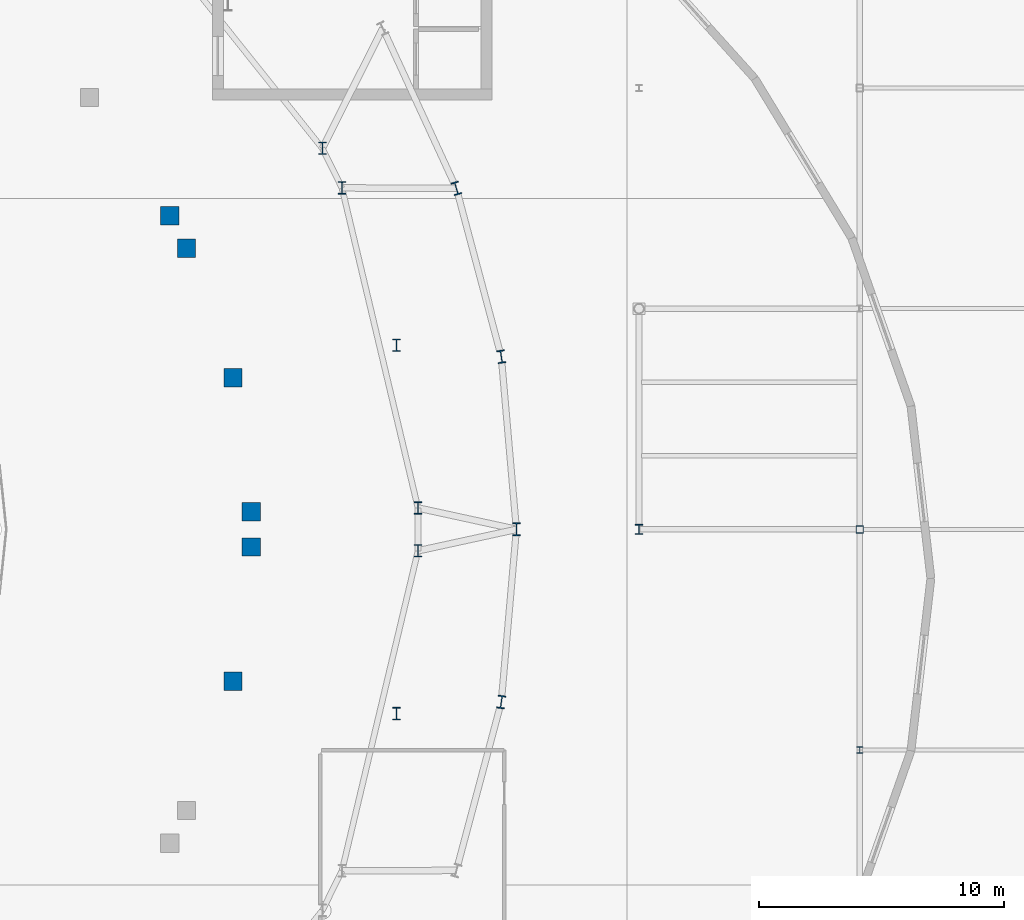
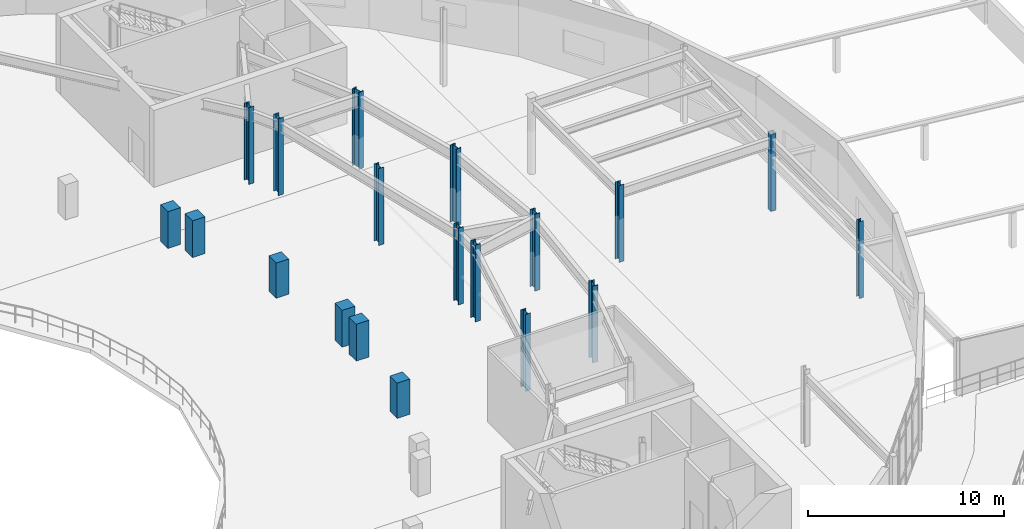
# One storey, part 17 of 84: 19 columns.
"""IFC4 building model written with IfcOpenShell, lengths in metres."""

from ifc_helpers import new_model, si_unit, direction, frame, origin, origin_2d, place, context, subcontext, project, spatial, rectangle, hollow_rectangle, i_section, extrude, material, material_profile, profile_set, type_object, element, save


model = new_model("IFC4")

# Units and contexts
model_context = context("Model", 3, precision=1e-05, world=origin(), true_north=direction((0.0, 1.0)))
body_context = subcontext(model_context, "Body", "Model", "MODEL_VIEW")
ifc_project = project(units=[si_unit("LENGTHUNIT", "METRE"), si_unit("AREAUNIT", "SQUARE_METRE"), si_unit("VOLUMEUNIT", "CUBIC_METRE"), si_unit("PLANEANGLEUNIT", "RADIAN"), si_unit("MASSUNIT", "GRAM", prefix="KILO")], contexts=[model_context])

# Site, building, storey
site_placement = place(None, origin())
site = spatial("IfcSite", under=ifc_project, at=site_placement, CompositionType="ELEMENT")
building_placement = place(site_placement, origin())
building = spatial("IfcBuilding", under=site, at=building_placement, Name="Glasvene Arena", CompositionType="ELEMENT")
storey_placement = place(building_placement, frame((0.0, 0.0, 10.199951171875)))
storey = spatial("IfcBuildingStorey", under=building, at=storey_placement, Name="L02", CompositionType="ELEMENT", Elevation=10.199951171875)

# Columns
ifc_material_1 = material(Name="Concrete C40/50", Category="concrete")
ifc_material_profile_1 = material_profile(ifc_material_1, rectangle(XDim=0.75, YDim=0.75, at=origin_2d()), Name="RC 750x750")
ifc_profile_set_1 = profile_set([ifc_material_profile_1], Name="Concrete C40/50")
column_type_1 = type_object("IfcColumnType", Name="COL-MID-RC750", PredefinedType="COLUMN", material=ifc_profile_set_1)
for number, where, z_axis, x_axis, name in (
    (1, (131.18994140625, 73.71923828125, 0.0), (0.0, 0.0, 1.0), (1.0, 0.0, 0.0), "Mid-bowl fulcrum column L02 01-1"),
    (2, (128.547119140625, 84.46337890625, 0.0), (0.0, 0.0, 1.0), (1.0, 0.0, 0.0), "Mid-bowl fulcrum column L02 01-2"),
    (3, (127.866455078125, 85.79248046875, 0.0), (0.0, 0.0, 1.0), (1.0, 0.0, 0.0), "Mid-bowl fulcrum column L02 02-1"),
    (4, (131.18994140625, 72.28076171875, 0.0), (0.0, 0.0, 1.0), (1.0, 0.0, 0.0), "Mid-bowl fulcrum column L02 16-2"),
):
    element("IfcColumn", number, at=place(storey_placement, frame(where, z_axis=z_axis, x_axis=x_axis)), inside=storey, type_object=column_type_1, Name=name, PredefinedType="COLUMN", context=body_context, shape_type="SweptSolid", body=[
        extrude(rectangle(XDim=0.75, YDim=0.75, at=origin_2d()), origin(), (0.0, 0.0, 1.0), 2.300048828125),
    ])
for number, where, z_axis, x_axis, name in (
    (5, (130.44677734375, 79.184326171875, 0.0), (0.0, 0.0, 1.0), (1.0, 0.0, 0.0), "Mid-sector fulcrum column L02 01"),
    (6, (130.44677734375, 66.815673828125, 0.0), (0.0, 0.0, 1.0), (1.0, 0.0, 0.0), "Mid-sector fulcrum column L02 16"),
):
    element("IfcColumn", number, at=place(storey_placement, frame(where, z_axis=z_axis, x_axis=x_axis)), inside=storey, type_object=column_type_1, Name=name, PredefinedType="COLUMN", context=body_context, shape_type="SweptSolid", body=[
        extrude(rectangle(XDim=0.75, YDim=0.75, at=origin_2d()), origin(), (0.0, 0.0, 1.0), 2.199951171875),
    ])
ifc_material_2 = material(Name="Steel S355J2", Category="steel")
ifc_material_profile_2 = material_profile(ifc_material_2, i_section(OverallWidth=0.305908203125, OverallDepth=0.52392578125, WebThickness=0.02099609375, FlangeThickness=0.0400390625, FilletRadius=0.027099609375, at=origin_2d()), Name="HEM 500")
ifc_profile_set_2 = profile_set([ifc_material_profile_2], Name="Steel S355J2")
column_type_2 = type_object("IfcColumnType", Name="COL-RING-HEM500", PredefinedType="COLUMN", material=ifc_profile_set_2)
for number, where, z_axis, x_axis, name in (
    (7, (142.0, 73.0, 0.0), (0.0, 0.0, 1.0), (1.0, 0.0, 0.0), "Bowl ring column R01 L02"),
    (8, (141.384521484375, 80.03955078125, 0.0), (0.0, 0.0, 1.0), (0.989999050734, 0.141074021516, 0.0), "Bowl ring column R02 L02"),
    (9, (139.552734375, 86.90576171875, 0.0), (0.0, 0.0, 1.0), (0.959805291975, 0.280666708921, 0.0), "Bowl ring column R03 L02"),
    (10, (141.384521484375, 65.96044921875, 0.0), (0.0, 0.0, 1.0), (0.989999050734, -0.141074021516, 0.0), "Bowl ring column R40 L02"),
):
    element("IfcColumn", number, at=place(storey_placement, frame(where, z_axis=z_axis, x_axis=x_axis)), inside=storey, type_object=column_type_2, Name=name, PredefinedType="COLUMN", context=body_context, shape_type="SweptSolid", body=[
        extrude(i_section(OverallWidth=0.305908203125, OverallDepth=0.52392578125, WebThickness=0.02099609375, FlangeThickness=0.0400390625, FilletRadius=0.027099609375, at=origin_2d()), origin(), (0.0, 0.0, 1.0), 4.800048828125),
    ])
ifc_material_profile_3 = material_profile(ifc_material_2, i_section(OverallWidth=0.300048828125, OverallDepth=0.39990234375, WebThickness=0.013427734375, FlangeThickness=0.02392578125, FilletRadius=0.027099609375, at=origin_2d()), Name="HEB 400")
ifc_profile_set_3 = profile_set([ifc_material_profile_3], Name="Steel S355J2")
column_type_3 = type_object("IfcColumnType", Name="COL-W-HEB400", PredefinedType="COLUMN", material=ifc_profile_set_3)
column_1_placement = place(storey_placement, frame((147.0, 73.0, 0.0), z_axis=(0.0, 0.0, 1.0), x_axis=(1.0, 0.0, 0.0)))
element("IfcColumn", 11, at=column_1_placement, inside=storey, type_object=column_type_3, Name="Grid column 17-9 L02", PredefinedType="COLUMN", context=body_context, shape_type="SweptSolid", body=[
    extrude(i_section(OverallWidth=0.300048828125, OverallDepth=0.39990234375, WebThickness=0.013427734375, FlangeThickness=0.02392578125, FilletRadius=0.027099609375, at=origin_2d()), origin(), (0.0, 0.0, 1.0), 4.800048828125),
])
ifc_material_profile_4 = material_profile(ifc_material_2, i_section(OverallWidth=0.300048828125, OverallDepth=0.5, WebThickness=0.014404296875, FlangeThickness=0.028076171875, FilletRadius=0.027099609375, at=origin_2d()), Name="HEB 500")
ifc_profile_set_4 = profile_set([ifc_material_profile_4], Name="Steel S355J2")
column_type_4 = type_object("IfcColumnType", Name="COL-W-HEB500", PredefinedType="COLUMN", material=ifc_profile_set_4)
for number, where, z_axis, x_axis, name in (
    (12, (137.98828125, 73.87353515625, 0.0), (0.0, 0.0, 1.0), (1.0, 0.0, 0.0), "Upper raker rear column L02 01-1"),
    (13, (134.886962890625, 86.922607421875, 0.0), (0.0, 0.0, 1.0), (1.0, 0.0, 0.0), "Upper raker rear column L02 01-2"),
    (14, (134.088134765625, 88.53662109375, 0.0), (0.0, 0.0, 1.0), (1.0, 0.0, 0.0), "Upper raker rear column L02 02-1"),
    (15, (137.98828125, 72.12646484375, 0.0), (0.0, 0.0, 1.0), (1.0, 0.0, 0.0), "Upper raker rear column L02 16-2"),
    (16, (137.1162109375, 80.510986328125, 0.0), (0.0, 0.0, 1.0), (1.0, 0.0, 0.0), "Mid-sector rear raker column L02 01"),
    (17, (137.1162109375, 65.489013671875, 0.0), (0.0, 0.0, 1.0), (1.0, 0.0, 0.0), "Mid-sector rear raker column L02 16"),
):
    element("IfcColumn", number, at=place(storey_placement, frame(where, z_axis=z_axis, x_axis=x_axis)), inside=storey, type_object=column_type_4, Name=name, PredefinedType="COLUMN", context=body_context, shape_type="SweptSolid", body=[
        extrude(i_section(OverallWidth=0.300048828125, OverallDepth=0.5, WebThickness=0.014404296875, FlangeThickness=0.028076171875, FilletRadius=0.027099609375, at=origin_2d()), origin(), (0.0, 0.0, 1.0), 4.800048828125),
    ])
ifc_material_profile_5 = material_profile(ifc_material_2, hollow_rectangle(XDim=0.300048828125, YDim=0.300048828125, WallThickness=0.012451171875, at=origin_2d()), Name="SHS 300x300x12.5")
ifc_profile_set_5 = profile_set([ifc_material_profile_5], Name="Steel S355J2")
column_type_5 = type_object("IfcColumnType", Name="COL-W-SHS300", PredefinedType="COLUMN", material=ifc_profile_set_5)
column_2_placement = place(storey_placement, frame((156.0, 73.0, 0.0), z_axis=(0.0, 0.0, 1.0), x_axis=(1.0, 0.0, 0.0)))
element("IfcColumn", 18, at=column_2_placement, inside=storey, type_object=column_type_5, Name="Grid column 18-9 L02", PredefinedType="COLUMN", context=body_context, shape_type="SweptSolid", body=[
    extrude(hollow_rectangle(XDim=0.300048828125, YDim=0.300048828125, WallThickness=0.012451171875, at=origin_2d()), origin(), (0.0, 0.0, 1.0), 4.800048828125),
])
ifc_material_profile_6 = material_profile(ifc_material_2, i_section(OverallWidth=0.25634765625, OverallDepth=0.26025390625, WebThickness=0.01025390625, FlangeThickness=0.017333984375, FilletRadius=0.0126953125, at=origin_2d()), Name="UKC 254x254x89")
ifc_profile_set_6 = profile_set([ifc_material_profile_6], Name="Steel S355J2")
column_type_6 = type_object("IfcColumnType", Name="COL-W-UKC89", PredefinedType="COLUMN", material=ifc_profile_set_6)
column_3_placement = place(storey_placement, frame((156.0, 64.0, 0.0), z_axis=(0.0, 0.0, 1.0), x_axis=(1.0, 0.0, 0.0)))
element("IfcColumn", 19, at=column_3_placement, inside=storey, type_object=column_type_6, Name="Grid column 18-8 L02", PredefinedType="COLUMN", context=body_context, shape_type="SweptSolid", body=[
    extrude(i_section(OverallWidth=0.25634765625, OverallDepth=0.26025390625, WebThickness=0.01025390625, FlangeThickness=0.017333984375, FilletRadius=0.0126953125, at=origin_2d()), origin(), (0.0, 0.0, 1.0), 4.800048828125),
])

save(model, "model.ifc")
